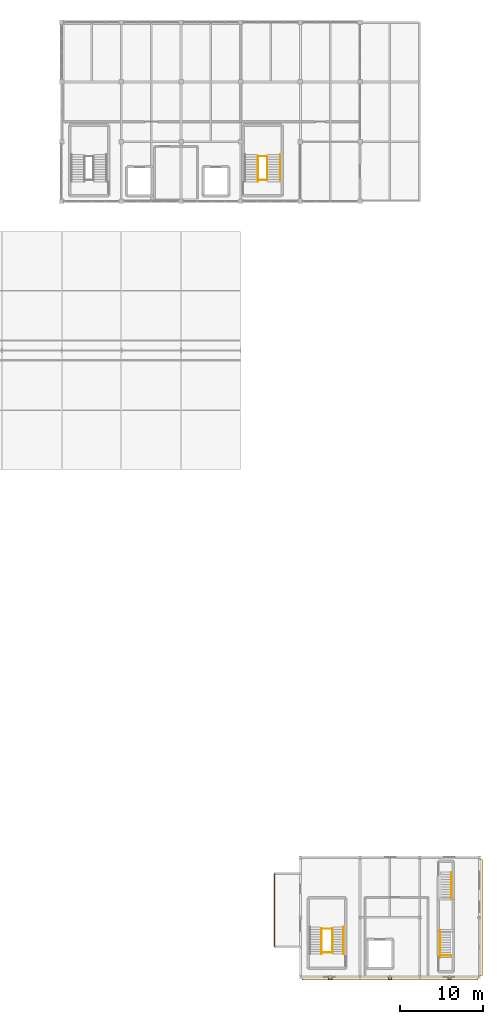
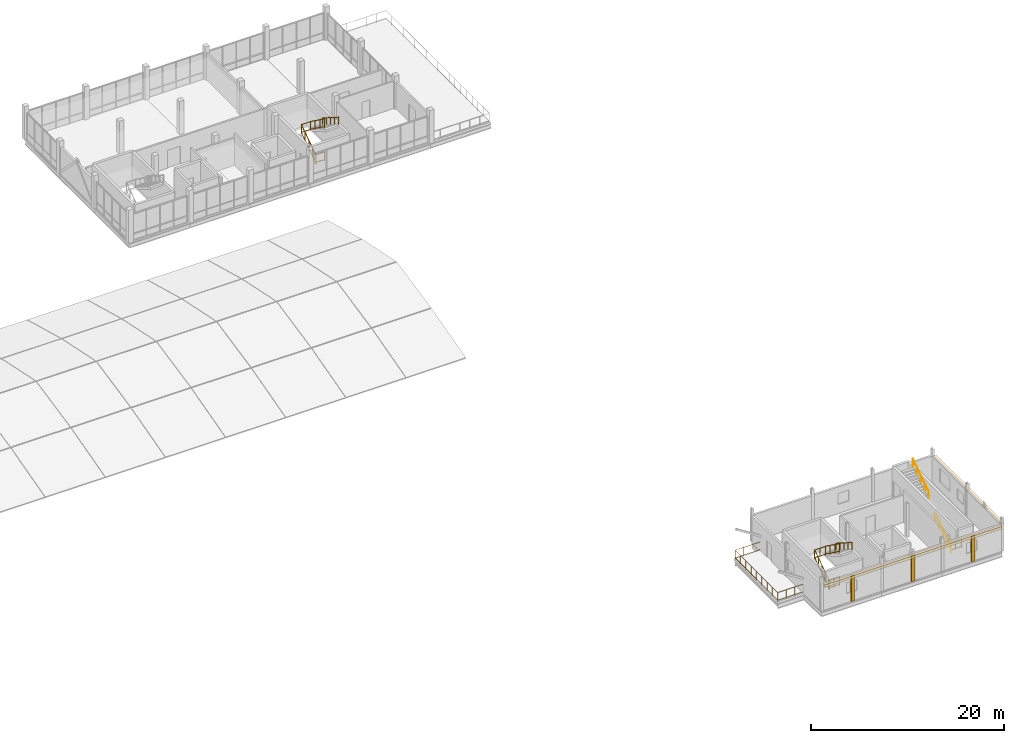
# One storey, part 46 of 47: 14 railings, 5 coverings.
"""IFC4 building model written with IfcOpenShell, lengths in metres."""

from ifc_helpers import new_model, si_unit, direction, frame, origin, origin_2d, place, context, subcontext, project, spatial, rectangle, circle, extrude, material, layer, layer_set, type_object, element, save


model = new_model("IFC4")

# Units and contexts
model_context = context("Model", 3, precision=1e-05, world=origin(), true_north=direction((0.0, 1.0)))
body_context = subcontext(model_context, "Body", "Model", "MODEL_VIEW")
ifc_project = project(units=[si_unit("LENGTHUNIT", "METRE"), si_unit("AREAUNIT", "SQUARE_METRE"), si_unit("VOLUMEUNIT", "CUBIC_METRE"), si_unit("PLANEANGLEUNIT", "RADIAN"), si_unit("MASSUNIT", "GRAM", prefix="KILO")], contexts=[model_context])

# Site, building, storey
site_placement = place(None, origin())
site = spatial("IfcSite", under=ifc_project, at=site_placement, CompositionType="ELEMENT")
building_placement = place(site_placement, origin())
building = spatial("IfcBuilding", under=site, at=building_placement, Name="Yarey Park Central Fire Station", CompositionType="ELEMENT")
storey_placement = place(building_placement, frame((0.0, 0.0, 18.0)))
storey = spatial("IfcBuildingStorey", under=building, at=storey_placement, Name="L05", CompositionType="ELEMENT", Elevation=18.0)

# Coverings
ifc_material_1 = material(Name="Honed Coral-Limestone Cladding", Category="masonry")
ifc_layer_1 = layer(ifc_material_1, 0.044921875)
ifc_layer_set_1 = layer_set([ifc_layer_1], Name="Honed Coral-Limestone Cladding")
covering_type_1 = type_object("IfcCoveringType", Name="ENV_COV_CLAD_1", PredefinedType="CLADDING", material=ifc_layer_set_1)
covering_1_placement = place(storey_placement, frame((165.780029296875, 7.199951171875, 3.0), z_axis=(0.0, 0.0, 1.0), x_axis=(0.0, 1.0, 0.0)))
element("IfcCovering", 1, at=covering_1_placement, inside=storey, type_object=covering_type_1, Name="FIN_L05_DTE_HOOD", PredefinedType="CLADDING", context=body_context, shape_type="SweptSolid", body=[
    extrude(rectangle(XDim=14.0, YDim=0.360107421875, at=origin_2d()), origin(), (0.0, 0.0, 1.0), 0.340087890625),
])
covering_2_placement = place(storey_placement, frame((154.800048828125, -0.179931640625, 3.0), z_axis=(0.0, 0.0, 1.0), x_axis=(1.0, 0.0, 0.0)))
element("IfcCovering", 2, at=covering_2_placement, inside=storey, type_object=covering_type_1, Name="FIN_L05_DTS_HOOD", PredefinedType="CLADDING", context=body_context, shape_type="SweptSolid", body=[
    extrude(rectangle(XDim=21.199951171875, YDim=0.360107421875, at=origin_2d()), origin(), (0.0, 0.0, 1.0), 0.340087890625),
])
ifc_layer_2 = layer(ifc_material_1, 0.06005859375)
ifc_layer_set_2 = layer_set([ifc_layer_2], Name="Honed Coral-Limestone Cladding")
covering_type_2 = type_object("IfcCoveringType", Name="ENV_COV_CLAD_2", PredefinedType="CLADDING", material=ifc_layer_set_2)
for number, where, z_axis, x_axis, name in (
    (3, (147.60009765625, -0.159912109375, 0.050048828125), (0.0, 0.0, 1.0), (1.0, 0.0, 0.0), "FIN_L05_DTS_PIL_1"),
    (4, (154.800048828125, -0.159912109375, 0.050048828125), (0.0, 0.0, 1.0), (1.0, 0.0, 0.0), "FIN_L05_DTS_PIL_2"),
    (5, (162.0, -0.159912109375, 0.050048828125), (0.0, 0.0, 1.0), (1.0, 0.0, 0.0), "FIN_L05_DTS_PIL_3"),
):
    element("IfcCovering", number, at=place(storey_placement, frame(where, z_axis=z_axis, x_axis=x_axis)), inside=storey, type_object=covering_type_2, Name=name, PredefinedType="CLADDING", context=body_context, shape_type="SweptSolid", body=[
        extrude(rectangle(XDim=0.3798828125, YDim=0.280029296875, at=origin_2d()), origin(), (0.0, 0.0, 1.0), 3.25),
    ])

# Railings
ifc_material_2 = material(Name="Stainless Steel AISI 316L", Category="steel")
railing_type_1 = type_object("IfcRailingType", Name="EXT_RAIL_GUARD112", PredefinedType="BALUSTRADE", material=ifc_material_2)
railing_1_placement = place(storey_placement, frame((143.919921875, 3.679931640625, 0.0)))
element("IfcRailing", 6, at=railing_1_placement, inside=storey, type_object=railing_type_1, Name="GRD_EXT_L05_DT_BALC", PredefinedType="BALUSTRADE", context=body_context, shape_type="SweptSolid", body=[
    extrude(circle(Radius=0.02392578125, at=origin_2d()), frame((0.0, 0.0, 1.09619140625), z_axis=(-1.0, 0.0, 0.0), x_axis=(0.0, -1.0, 0.0)), (0.0, 0.0, 1.0), 3.0400390625),
    extrude(circle(Radius=0.02392578125, at=origin_2d()), frame((0.0, 0.0, 0.1201171875), z_axis=(-1.0, 0.0, 0.0), x_axis=(0.0, -1.0, 0.0)), (0.0, 0.0, 1.0), 3.0400390625),
    extrude(circle(Radius=0.02392578125, at=origin_2d()), frame((-3.0400390625, 0.0, 1.09619140625), z_axis=(0.0, 1.0, 0.0), x_axis=(-1.0, 0.0, 0.0)), (0.0, 0.0, 1.0), 8.840087890625),
    extrude(circle(Radius=0.02392578125, at=origin_2d()), frame((-3.0400390625, 0.0, 0.1201171875), z_axis=(0.0, 1.0, 0.0), x_axis=(-1.0, 0.0, 0.0)), (0.0, 0.0, 1.0), 8.840087890625),
    extrude(circle(Radius=0.02392578125, at=origin_2d()), frame((-3.0400390625, 8.840087890625, 1.09619140625), z_axis=(1.0, 0.0, 0.0), x_axis=(0.0, 1.0, 0.0)), (0.0, 0.0, 1.0), 3.0400390625),
    extrude(circle(Radius=0.02392578125, at=origin_2d()), frame((-3.0400390625, 8.840087890625, 0.1201171875), z_axis=(1.0, 0.0, 0.0), x_axis=(0.0, 1.0, 0.0)), (0.0, 0.0, 1.0), 3.0400390625),
    extrude(circle(Radius=0.02099609375, at=origin_2d()), origin(), (0.0, 0.0, 1.0), 1.072021484375),
    extrude(circle(Radius=0.02099609375, at=origin_2d()), frame((-1.013427734375, 0.0, 0.0)), (0.0, 0.0, 1.0), 1.072021484375),
    extrude(circle(Radius=0.02099609375, at=origin_2d()), frame((-2.026611328125, 0.0, 0.0)), (0.0, 0.0, 1.0), 1.072021484375),
    extrude(circle(Radius=0.02099609375, at=origin_2d()), frame((-3.0400390625, 0.0, 0.0)), (0.0, 0.0, 1.0), 1.072021484375),
    extrude(circle(Radius=0.02099609375, at=origin_2d()), frame((-3.0400390625, 1.10498046875, 0.0)), (0.0, 0.0, 1.0), 1.072021484375),
    extrude(circle(Radius=0.02099609375, at=origin_2d()), frame((-3.0400390625, 2.2099609375, 0.0)), (0.0, 0.0, 1.0), 1.072021484375),
    extrude(circle(Radius=0.02099609375, at=origin_2d()), frame((-3.0400390625, 3.31494140625, 0.0)), (0.0, 0.0, 1.0), 1.072021484375),
    extrude(circle(Radius=0.02099609375, at=origin_2d()), frame((-3.0400390625, 4.419921875, 0.0)), (0.0, 0.0, 1.0), 1.072021484375),
    extrude(circle(Radius=0.02099609375, at=origin_2d()), frame((-3.0400390625, 5.525146484375, 0.0)), (0.0, 0.0, 1.0), 1.072021484375),
    extrude(circle(Radius=0.02099609375, at=origin_2d()), frame((-3.0400390625, 6.630126953125, 0.0)), (0.0, 0.0, 1.0), 1.072021484375),
    extrude(circle(Radius=0.02099609375, at=origin_2d()), frame((-3.0400390625, 7.735107421875, 0.0)), (0.0, 0.0, 1.0), 1.072021484375),
    extrude(circle(Radius=0.02099609375, at=origin_2d()), frame((-3.0400390625, 8.840087890625, 0.0)), (0.0, 0.0, 1.0), 1.072021484375),
    extrude(circle(Radius=0.02099609375, at=origin_2d()), frame((-2.026611328125, 8.840087890625, 0.0)), (0.0, 0.0, 1.0), 1.072021484375),
    extrude(circle(Radius=0.02099609375, at=origin_2d()), frame((-1.013427734375, 8.840087890625, 0.0)), (0.0, 0.0, 1.0), 1.072021484375),
    extrude(circle(Radius=0.02099609375, at=origin_2d()), frame((0.0, 8.840087890625, 0.0)), (0.0, 0.0, 1.0), 1.072021484375),
])
ifc_material_3 = material(Name="Galvanized Steel Balustrade", Category="steel")
railing_type_2 = type_object("IfcRailingType", Name="INT_RAIL_GUARD112", PredefinedType="BALUSTRADE", material=ifc_material_3)
railing_2_placement = place(storey_placement, frame((138.89990234375, 95.949951171875, 0.0)))
element("IfcRailing", 7, at=railing_2_placement, inside=storey, type_object=railing_type_2, Name="GRD_C2_L05_F1", PredefinedType="BALUSTRADE", context=body_context, shape_type="SweptSolid", body=[
    extrude(circle(Radius=0.02392578125, at=origin_2d()), frame((0.0, 0.0, 1.09619140625), z_axis=(0.0, 0.827914784024, 0.560853911811), x_axis=(-1.0, 0.0, 0.0)), (0.0, 0.0, 1.0), 3.744384765625),
    extrude(circle(Radius=0.02392578125, at=origin_2d()), frame((0.0, 0.0, 0.1201171875), z_axis=(0.0, 0.827914784024, 0.560853911811), x_axis=(-1.0, 0.0, 0.0)), (0.0, 0.0, 1.0), 3.744384765625),
    extrude(circle(Radius=0.02099609375, at=origin_2d()), origin(), (0.0, 0.0, 1.0), 1.072021484375),
    extrude(circle(Radius=0.02099609375, at=origin_2d()), frame((0.0, 0.77490234375, 0.52490234375)), (0.0, 0.0, 1.0), 1.072021484375),
    extrude(circle(Radius=0.02099609375, at=origin_2d()), frame((0.0, 1.550048828125, 1.050048828125)), (0.0, 0.0, 1.0), 1.072021484375),
    extrude(circle(Radius=0.02099609375, at=origin_2d()), frame((0.0, 2.3251953125, 1.5751953125)), (0.0, 0.0, 1.0), 1.072021484375),
    extrude(circle(Radius=0.02099609375, at=origin_2d()), frame((0.0, 3.10009765625, 2.10009765625)), (0.0, 0.0, 1.0), 1.072021484375),
])
railing_3_placement = place(storey_placement, frame((140.0, 99.050048828125, 2.10009765625)))
element("IfcRailing", 8, at=railing_3_placement, inside=storey, type_object=railing_type_2, Name="GRD_C2_L05_F2", PredefinedType="BALUSTRADE", context=body_context, shape_type="SweptSolid", body=[
    extrude(circle(Radius=0.02392578125, at=origin_2d()), frame((0.0, 0.0, 1.09619140625), z_axis=(0.0, -0.809975627919, 0.586463538659), x_axis=(1.0, 0.0, 0.0)), (0.0, 0.0, 1.0), 3.58056640625),
    extrude(circle(Radius=0.02392578125, at=origin_2d()), frame((0.0, 0.0, 0.1201171875), z_axis=(0.0, -0.809975627919, 0.586463538659), x_axis=(1.0, 0.0, 0.0)), (0.0, 0.0, 1.0), 3.58056640625),
    extrude(circle(Radius=0.02099609375, at=origin_2d()), origin(), (0.0, 0.0, 1.0), 1.072021484375),
    extrude(circle(Radius=0.02099609375, at=origin_2d()), frame((0.0, -0.966796875, 0.699951171875)), (0.0, 0.0, 1.0), 1.072021484375),
    extrude(circle(Radius=0.02099609375, at=origin_2d()), frame((0.0, -1.933349609375, 1.39990234375)), (0.0, 0.0, 1.0), 1.072021484375),
    extrude(circle(Radius=0.02099609375, at=origin_2d()), frame((0.0, -2.900146484375, 2.099853515625)), (0.0, 0.0, 1.0), 1.072021484375),
])
for number, where, name in (
    (9, (138.89990234375, 99.030029296875, 2.10009765625), "GRD_C2_L05_SLOT_MID"),
    (10, (138.89990234375, 96.179931640625, 0.0), "GRD_C2_L05_SLOT_BOT"),
):
    element("IfcRailing", number, at=place(storey_placement, frame(where)), inside=storey, type_object=railing_type_2, Name=name, PredefinedType="BALUSTRADE", context=body_context, shape_type="SweptSolid", body=[
        extrude(circle(Radius=0.02392578125, at=origin_2d()), frame((0.0, 0.0, 1.09619140625), z_axis=(1.0, 0.0, 0.0), x_axis=(0.0, 1.0, 0.0)), (0.0, 0.0, 1.0), 1.10009765625),
        extrude(circle(Radius=0.02392578125, at=origin_2d()), frame((0.0, 0.0, 0.1201171875), z_axis=(1.0, 0.0, 0.0), x_axis=(0.0, 1.0, 0.0)), (0.0, 0.0, 1.0), 1.10009765625),
        extrude(circle(Radius=0.02099609375, at=origin_2d()), origin(), (0.0, 0.0, 1.0), 1.072021484375),
        extrude(circle(Radius=0.02099609375, at=origin_2d()), frame((1.10009765625, 0.0, 0.0)), (0.0, 0.0, 1.0), 1.072021484375),
    ])
railing_4_placement = place(storey_placement, frame((146.550048828125, 2.75, 0.0)))
element("IfcRailing", 11, at=railing_4_placement, inside=storey, type_object=railing_type_2, Name="GRD_C5_L05_F1", PredefinedType="BALUSTRADE", context=body_context, shape_type="SweptSolid", body=[
    extrude(circle(Radius=0.02392578125, at=origin_2d()), frame((0.0, 0.0, 1.09619140625), z_axis=(0.0, 0.827914784024, 0.560853911811), x_axis=(-1.0, 0.0, 0.0)), (0.0, 0.0, 1.0), 3.744384765625),
    extrude(circle(Radius=0.02392578125, at=origin_2d()), frame((0.0, 0.0, 0.1201171875), z_axis=(0.0, 0.827914784024, 0.560853911811), x_axis=(-1.0, 0.0, 0.0)), (0.0, 0.0, 1.0), 3.744384765625),
    extrude(circle(Radius=0.02099609375, at=origin_2d()), origin(), (0.0, 0.0, 1.0), 1.072021484375),
    extrude(circle(Radius=0.02099609375, at=origin_2d()), frame((0.0, 0.77490234375, 0.52490234375)), (0.0, 0.0, 1.0), 1.072021484375),
    extrude(circle(Radius=0.02099609375, at=origin_2d()), frame((0.0, 1.550048828125, 1.050048828125)), (0.0, 0.0, 1.0), 1.072021484375),
    extrude(circle(Radius=0.02099609375, at=origin_2d()), frame((0.0, 2.3251953125, 1.5751953125)), (0.0, 0.0, 1.0), 1.072021484375),
    extrude(circle(Radius=0.02099609375, at=origin_2d()), frame((0.0, 3.10009765625, 2.10009765625)), (0.0, 0.0, 1.0), 1.072021484375),
])
railing_5_placement = place(storey_placement, frame((147.85009765625, 5.85009765625, 2.10009765625)))
element("IfcRailing", 12, at=railing_5_placement, inside=storey, type_object=railing_type_2, Name="GRD_C5_L05_F2", PredefinedType="BALUSTRADE", context=body_context, shape_type="SweptSolid", body=[
    extrude(circle(Radius=0.02392578125, at=origin_2d()), frame((0.0, 0.0, 1.09619140625), z_axis=(0.0, -0.809975627919, 0.586463538659), x_axis=(1.0, 0.0, 0.0)), (0.0, 0.0, 1.0), 3.58056640625),
    extrude(circle(Radius=0.02392578125, at=origin_2d()), frame((0.0, 0.0, 0.1201171875), z_axis=(0.0, -0.809975627919, 0.586463538659), x_axis=(1.0, 0.0, 0.0)), (0.0, 0.0, 1.0), 3.58056640625),
    extrude(circle(Radius=0.02099609375, at=origin_2d()), origin(), (0.0, 0.0, 1.0), 1.072021484375),
    extrude(circle(Radius=0.02099609375, at=origin_2d()), frame((0.0, -0.966796875, 0.699951171875)), (0.0, 0.0, 1.0), 1.072021484375),
    extrude(circle(Radius=0.02099609375, at=origin_2d()), frame((0.0, -1.933349609375, 1.39990234375)), (0.0, 0.0, 1.0), 1.072021484375),
    extrude(circle(Radius=0.02099609375, at=origin_2d()), frame((0.0, -2.900146484375, 2.099853515625)), (0.0, 0.0, 1.0), 1.072021484375),
])
for number, where, name in (
    (13, (146.550048828125, 5.830078125, 2.10009765625), "GRD_C5_L05_SLOT_MID"),
    (14, (146.550048828125, 2.97998046875, 0.0), "GRD_C5_L05_SLOT_BOT"),
):
    element("IfcRailing", number, at=place(storey_placement, frame(where)), inside=storey, type_object=railing_type_2, Name=name, PredefinedType="BALUSTRADE", context=body_context, shape_type="SweptSolid", body=[
        extrude(circle(Radius=0.02392578125, at=origin_2d()), frame((0.0, 0.0, 1.09619140625), z_axis=(1.0, 0.0, 0.0), x_axis=(0.0, 1.0, 0.0)), (0.0, 0.0, 1.0), 1.300048828125),
        extrude(circle(Radius=0.02392578125, at=origin_2d()), frame((0.0, 0.0, 0.1201171875), z_axis=(1.0, 0.0, 0.0), x_axis=(0.0, 1.0, 0.0)), (0.0, 0.0, 1.0), 1.300048828125),
        extrude(circle(Radius=0.02099609375, at=origin_2d()), origin(), (0.0, 0.0, 1.0), 1.072021484375),
        extrude(circle(Radius=0.02099609375, at=origin_2d()), frame((0.64990234375, 0.0, 0.0)), (0.0, 0.0, 1.0), 1.072021484375),
        extrude(circle(Radius=0.02099609375, at=origin_2d()), frame((1.300048828125, 0.0, 0.0)), (0.0, 0.0, 1.0), 1.072021484375),
    ])
railing_6_placement = place(storey_placement, frame((160.85009765625, 2.580078125, 0.0)))
element("IfcRailing", 15, at=railing_6_placement, inside=storey, type_object=railing_type_2, Name="GRD_C6_L05_SOUTH_EDGE", PredefinedType="BALUSTRADE", context=body_context, shape_type="SweptSolid", body=[
    extrude(circle(Radius=0.02392578125, at=origin_2d()), frame((0.0, 0.0, 1.09619140625), z_axis=(1.0, 0.0, 0.0), x_axis=(0.0, 1.0, 0.0)), (0.0, 0.0, 1.0), 1.39990234375),
    extrude(circle(Radius=0.02392578125, at=origin_2d()), frame((0.0, 0.0, 0.1201171875), z_axis=(1.0, 0.0, 0.0), x_axis=(0.0, 1.0, 0.0)), (0.0, 0.0, 1.0), 1.39990234375),
    extrude(circle(Radius=0.02099609375, at=origin_2d()), origin(), (0.0, 0.0, 1.0), 1.072021484375),
    extrude(circle(Radius=0.02099609375, at=origin_2d()), frame((0.699951171875, 0.0, 0.0)), (0.0, 0.0, 1.0), 1.072021484375),
    extrude(circle(Radius=0.02099609375, at=origin_2d()), frame((1.39990234375, 0.0, 0.0)), (0.0, 0.0, 1.0), 1.072021484375),
])
railing_type_3 = type_object("IfcRailingType", Name="INT_RAIL_HAND090", PredefinedType="HANDRAIL", material=ifc_material_2)
for number, where, name in (
    (16, (141.570068359375, 99.25, 2.10009765625), "HR_C2_L05_F2"),
    (17, (149.219970703125, 6.050048828125, 2.10009765625), "HR_C5_L05_F2"),
):
    element("IfcRailing", number, at=place(storey_placement, frame(where)), inside=storey, type_object=railing_type_3, Name=name, PredefinedType="HANDRAIL", context=body_context, shape_type="SweptSolid", body=[
        extrude(circle(Radius=0.02392578125, at=origin_2d()), frame((0.0, 0.0, 0.8759765625), z_axis=(0.0, -0.843682047799, 0.53684318215), x_axis=(1.0, 0.0, 0.0)), (0.0, 0.0, 1.0), 3.911376953125),
        extrude(circle(Radius=0.02099609375, at=origin_2d()), origin(), (0.0, 0.0, 1.0), 0.851806640625),
        extrude(circle(Radius=0.02099609375, at=origin_2d()), frame((0.0, -0.824951171875, 0.52490234375)), (0.0, 0.0, 1.0), 0.851806640625),
        extrude(circle(Radius=0.02099609375, at=origin_2d()), frame((0.0, -1.64990234375, 1.0498046875)), (0.0, 0.0, 1.0), 0.851806640625),
        extrude(circle(Radius=0.02099609375, at=origin_2d()), frame((0.0, -2.47509765625, 1.574951171875)), (0.0, 0.0, 1.0), 0.851806640625),
        extrude(circle(Radius=0.02099609375, at=origin_2d()), frame((0.0, -3.300048828125, 2.099853515625)), (0.0, 0.0, 1.0), 0.851806640625),
    ])
railing_7_placement = place(storey_placement, frame((160.860107421875, 2.35009765625, 0.0)))
element("IfcRailing", 18, at=railing_7_placement, inside=storey, type_object=railing_type_3, Name="HR_C6_L05_L", PredefinedType="HANDRAIL", context=body_context, shape_type="SweptSolid", body=[
    extrude(circle(Radius=0.02392578125, at=origin_2d()), frame((0.0, 0.0, 0.8759765625), z_axis=(0.0, 0.843635785416, 0.536915879413), x_axis=(-1.0, 0.0, 0.0)), (0.0, 0.0, 1.0), 3.911376953125),
    extrude(circle(Radius=0.02099609375, at=origin_2d()), origin(), (0.0, 0.0, 1.0), 0.851806640625),
    extrude(circle(Radius=0.02099609375, at=origin_2d()), frame((0.0, 0.824951171875, 0.52490234375)), (0.0, 0.0, 1.0), 0.851806640625),
    extrude(circle(Radius=0.02099609375, at=origin_2d()), frame((0.0, 1.64990234375, 1.050048828125)), (0.0, 0.0, 1.0), 0.851806640625),
    extrude(circle(Radius=0.02099609375, at=origin_2d()), frame((0.0, 2.474853515625, 1.5751953125)), (0.0, 0.0, 1.0), 0.851806640625),
    extrude(circle(Radius=0.02099609375, at=origin_2d()), frame((0.0, 3.2998046875, 2.10009765625)), (0.0, 0.0, 1.0), 0.851806640625),
])
railing_8_placement = place(storey_placement, frame((162.239990234375, 9.35009765625, 2.10009765625)))
element("IfcRailing", 19, at=railing_8_placement, inside=storey, type_object=railing_type_3, Name="HR_C6_L05_R", PredefinedType="HANDRAIL", context=body_context, shape_type="SweptSolid", body=[
    extrude(circle(Radius=0.02392578125, at=origin_2d()), frame((0.0, 0.0, 0.8759765625), z_axis=(0.0, 0.843664057944, 0.536871453268), x_axis=(-1.0, 0.0, 0.0)), (0.0, 0.0, 1.0), 3.911376953125),
    extrude(circle(Radius=0.02099609375, at=origin_2d()), origin(), (0.0, 0.0, 1.0), 0.851806640625),
    extrude(circle(Radius=0.02099609375, at=origin_2d()), frame((0.0, 0.824951171875, 0.52490234375)), (0.0, 0.0, 1.0), 0.851806640625),
    extrude(circle(Radius=0.02099609375, at=origin_2d()), frame((0.0, 1.64990234375, 1.0498046875)), (0.0, 0.0, 1.0), 0.851806640625),
    extrude(circle(Radius=0.02099609375, at=origin_2d()), frame((0.0, 2.474853515625, 1.574951171875)), (0.0, 0.0, 1.0), 0.851806640625),
    extrude(circle(Radius=0.02099609375, at=origin_2d()), frame((0.0, 3.2998046875, 2.099853515625)), (0.0, 0.0, 1.0), 0.851806640625),
])

save(model, "model.ifc")
